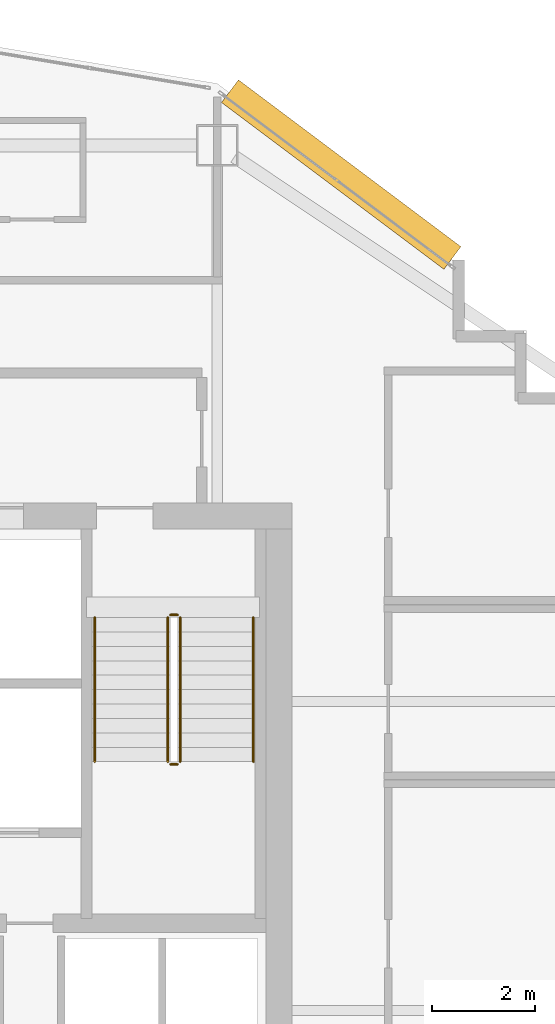
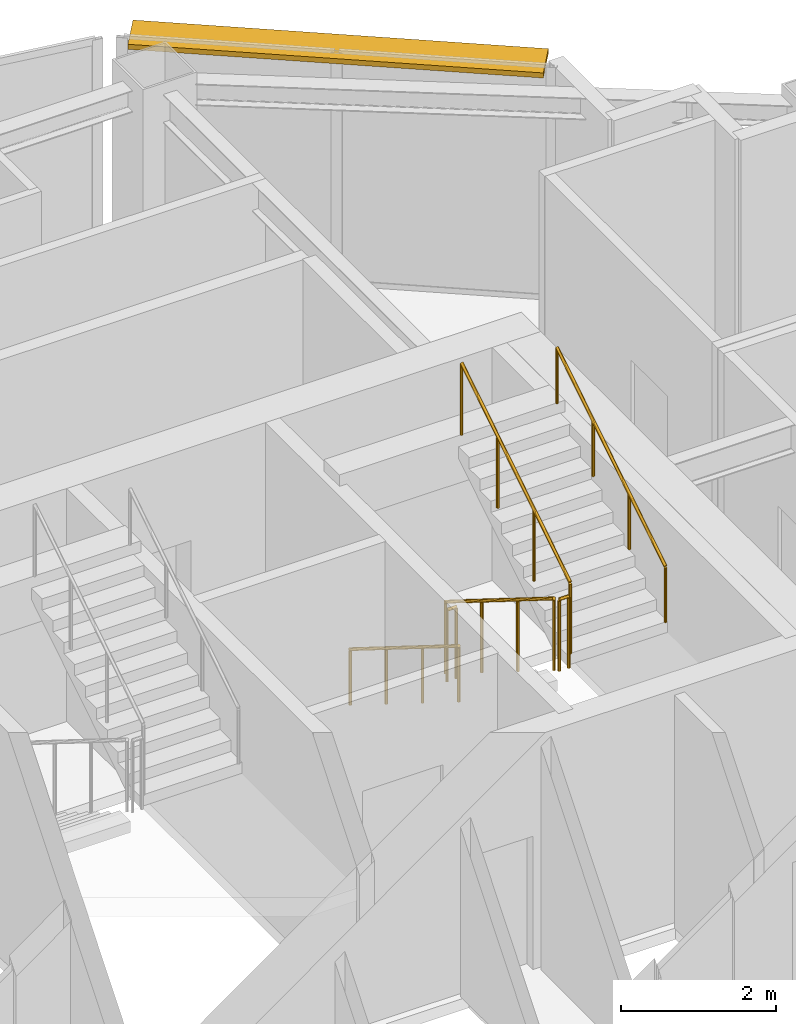
# One storey, part 11 of 11: 6 railings, 1 shading device.
"""IFC4 building model written with IfcOpenShell, lengths in metres."""

from ifc_helpers import new_model, si_unit, direction, frame, origin, origin_2d, place, context, subcontext, project, spatial, rectangle, circle, extrude, material, layer, layer_set, type_object, element, save


model = new_model("IFC4")

# Units and contexts
model_context = context("Model", 3, precision=1e-05, world=origin(), true_north=direction((0.0, 1.0)))
body_context = subcontext(model_context, "Body", "Model", "MODEL_VIEW")
ifc_project = project(units=[si_unit("LENGTHUNIT", "METRE"), si_unit("AREAUNIT", "SQUARE_METRE"), si_unit("VOLUMEUNIT", "CUBIC_METRE"), si_unit("PLANEANGLEUNIT", "RADIAN"), si_unit("MASSUNIT", "GRAM", prefix="KILO")], contexts=[model_context])

# Site, building, storey
site_placement = place(None, origin())
site = spatial("IfcSite", under=ifc_project, at=site_placement, CompositionType="ELEMENT")
building_placement = place(site_placement, origin())
building = spatial("IfcBuilding", under=site, at=building_placement, Name="Haolan Belvedere Tower", CompositionType="ELEMENT")
storey_placement = place(building_placement, frame((0.0, 0.0, 254.449951171875)))
storey = spatial("IfcBuildingStorey", under=building, at=storey_placement, Name="L64", CompositionType="ELEMENT", Elevation=254.449951171875)

# Railings
ifc_material_1 = material(Name="Brushed stainless steel 304", Category="steel")
railing_type_1 = type_object("IfcRailingType", Name="RL-STAIR-GRD-1150", PredefinedType="GUARDRAIL", material=ifc_material_1)
railing_1_placement = place(storey_placement, frame((44.639892578125, 41.22998046875, 0.175048828125)))
element("IfcRailing", 1, at=railing_1_placement, inside=storey, type_object=railing_type_1, Name="L64 ST2 stair guard 1", PredefinedType="GUARDRAIL", context=body_context, shape_type="SweptSolid", body=[
    extrude(circle(Radius=0.02392578125, at=origin_2d()), frame((0.0, 0.0, 1.1259765625), z_axis=(0.0, -0.848002457836, 0.529992293815), x_axis=(1.0, 0.0, 0.0)), (0.0, 0.0, 1.0), 3.302001953125),
    extrude(circle(Radius=0.02099609375, at=origin_2d()), origin(), (0.0, 0.0, 1.0), 1.101806640625),
    extrude(circle(Radius=0.02099609375, at=origin_2d()), frame((0.0, -0.933349609375, 0.583251953125)), (0.0, 0.0, 1.0), 1.101806640625),
    extrude(circle(Radius=0.02099609375, at=origin_2d()), frame((0.0, -1.86669921875, 1.166748046875)), (0.0, 0.0, 1.0), 1.101806640625),
    extrude(circle(Radius=0.02099609375, at=origin_2d()), frame((0.0, -2.800048828125, 1.75)), (0.0, 0.0, 1.0), 1.101806640625),
])
railing_2_placement = place(storey_placement, frame((44.68994140625, 38.3798828125, 1.925048828125)))
element("IfcRailing", 2, at=railing_2_placement, inside=storey, type_object=railing_type_1, Name="L64 ST2 stair guard 2", PredefinedType="GUARDRAIL", context=body_context, shape_type="SweptSolid", body=[
    extrude(circle(Radius=0.02392578125, at=origin_2d()), frame((0.0, 0.0, 1.1259765625), z_axis=(1.0, 0.0, 0.0), x_axis=(0.0, 1.0, 0.0)), (0.0, 0.0, 1.0), 0.14013671875),
    extrude(circle(Radius=0.02099609375, at=origin_2d()), origin(), (0.0, 0.0, 1.0), 1.101806640625),
    extrude(circle(Radius=0.02099609375, at=origin_2d()), frame((0.14013671875, 0.0, 0.0)), (0.0, 0.0, 1.0), 1.101806640625),
])
railing_3_placement = place(storey_placement, frame((44.8798828125, 38.429931640625, 2.10009765625)))
element("IfcRailing", 3, at=railing_3_placement, inside=storey, type_object=railing_type_1, Name="L64 ST2 stair guard 3", PredefinedType="GUARDRAIL", context=body_context, shape_type="SweptSolid", body=[
    extrude(circle(Radius=0.02392578125, at=origin_2d()), frame((0.0, 0.0, 1.1259765625), z_axis=(0.0, 0.848002457836, 0.529992293815), x_axis=(-1.0, 0.0, 0.0)), (0.0, 0.0, 1.0), 3.302001953125),
    extrude(circle(Radius=0.02099609375, at=origin_2d()), origin(), (0.0, 0.0, 1.0), 1.101806640625),
    extrude(circle(Radius=0.02099609375, at=origin_2d()), frame((0.0, 0.933349609375, 0.583251953125)), (0.0, 0.0, 1.0), 1.101806640625),
    extrude(circle(Radius=0.02099609375, at=origin_2d()), frame((0.0, 1.86669921875, 1.166748046875)), (0.0, 0.0, 1.0), 1.101806640625),
    extrude(circle(Radius=0.02099609375, at=origin_2d()), frame((0.0, 2.800048828125, 1.75)), (0.0, 0.0, 1.0), 1.101806640625),
])
railing_4_placement = place(storey_placement, frame((44.68994140625, 41.280029296875, 0.0)))
element("IfcRailing", 4, at=railing_4_placement, inside=storey, type_object=railing_type_1, Name="L64 ST2 stair guard 4", PredefinedType="GUARDRAIL", context=body_context, shape_type="SweptSolid", body=[
    extrude(circle(Radius=0.02392578125, at=origin_2d()), frame((0.0, 0.0, 1.1259765625), z_axis=(1.0, 0.0, 0.0), x_axis=(0.0, 1.0, 0.0)), (0.0, 0.0, 1.0), 0.14013671875),
    extrude(circle(Radius=0.02099609375, at=origin_2d()), origin(), (0.0, 0.0, 1.0), 1.101806640625),
    extrude(circle(Radius=0.02099609375, at=origin_2d()), frame((0.14013671875, 0.0, 0.0)), (0.0, 0.0, 1.0), 1.101806640625),
])
railing_type_2 = type_object("IfcRailingType", Name="RL-STAIR-HND-900", PredefinedType="HANDRAIL", material=ifc_material_1)
railing_5_placement = place(storey_placement, frame((43.219970703125, 41.22998046875, 0.175048828125)))
element("IfcRailing", 5, at=railing_5_placement, inside=storey, type_object=railing_type_2, Name="L64 ST2 stair handrail 1", PredefinedType="HANDRAIL", context=body_context, shape_type="SweptSolid", body=[
    extrude(circle(Radius=0.02392578125, at=origin_2d()), frame((0.0, 0.0, 0.8759765625), z_axis=(0.0, -0.848002457836, 0.529992293815), x_axis=(1.0, 0.0, 0.0)), (0.0, 0.0, 1.0), 3.302001953125),
    extrude(circle(Radius=0.02099609375, at=origin_2d()), origin(), (0.0, 0.0, 1.0), 0.851806640625),
    extrude(circle(Radius=0.02099609375, at=origin_2d()), frame((0.0, -0.933349609375, 0.583251953125)), (0.0, 0.0, 1.0), 0.851806640625),
    extrude(circle(Radius=0.02099609375, at=origin_2d()), frame((0.0, -1.86669921875, 1.166748046875)), (0.0, 0.0, 1.0), 0.851806640625),
    extrude(circle(Radius=0.02099609375, at=origin_2d()), frame((0.0, -2.800048828125, 1.75)), (0.0, 0.0, 1.0), 0.851806640625),
])
railing_6_placement = place(storey_placement, frame((46.300048828125, 38.429931640625, 2.10009765625)))
element("IfcRailing", 6, at=railing_6_placement, inside=storey, type_object=railing_type_2, Name="L64 ST2 stair handrail 2", PredefinedType="HANDRAIL", context=body_context, shape_type="SweptSolid", body=[
    extrude(circle(Radius=0.02392578125, at=origin_2d()), frame((0.0, 0.0, 0.8759765625), z_axis=(0.0, 0.848002457836, 0.529992293815), x_axis=(-1.0, 0.0, 0.0)), (0.0, 0.0, 1.0), 3.302001953125),
    extrude(circle(Radius=0.02099609375, at=origin_2d()), origin(), (0.0, 0.0, 1.0), 0.851806640625),
    extrude(circle(Radius=0.02099609375, at=origin_2d()), frame((0.0, 0.933349609375, 0.583251953125)), (0.0, 0.0, 1.0), 0.851806640625),
    extrude(circle(Radius=0.02099609375, at=origin_2d()), frame((0.0, 1.86669921875, 1.166748046875)), (0.0, 0.0, 1.0), 0.851806640625),
    extrude(circle(Radius=0.02099609375, at=origin_2d()), frame((0.0, 2.800048828125, 1.75)), (0.0, 0.0, 1.0), 0.851806640625),
])

# Shading device
ifc_material_2 = material(Name="Anodised champagne-silver aluminium 6063-T6", Category="aluminium")
ifc_layer = layer(ifc_material_2, 0.080078125, Name="Anodised champagne-silver aluminium 6063-T6")
ifc_layer_set = layer_set([ifc_layer], Name="Anodised champagne-silver aluminium 6063-T6")
shading_device_type = type_object("IfcShadingDeviceType", Name="SHD-SUN-550", PredefinedType="USERDEFINED", material=ifc_layer_set)
shading_device_placement = place(storey_placement, frame((48.0068359375, 49.83251953125, 3.570068359375), z_axis=(0.0, 0.0, 1.0), x_axis=(-0.799998928149, 0.600001429133, 0.0)))
element("IfcShadingDevice", 7, at=shading_device_placement, inside=storey, type_object=shading_device_type, Name="L64 pale-metal horizontal SUNSHADE band 8.1", ObjectType="SUNSHADE", PredefinedType="USERDEFINED", context=body_context, shape_type="SweptSolid", body=[
    extrude(rectangle(XDim=5.398193359375, YDim=0.550048828125, at=origin_2d()), origin(), (0.0, 0.0, 1.0), 0.080078125),
])

save(model, "model.ifc")
